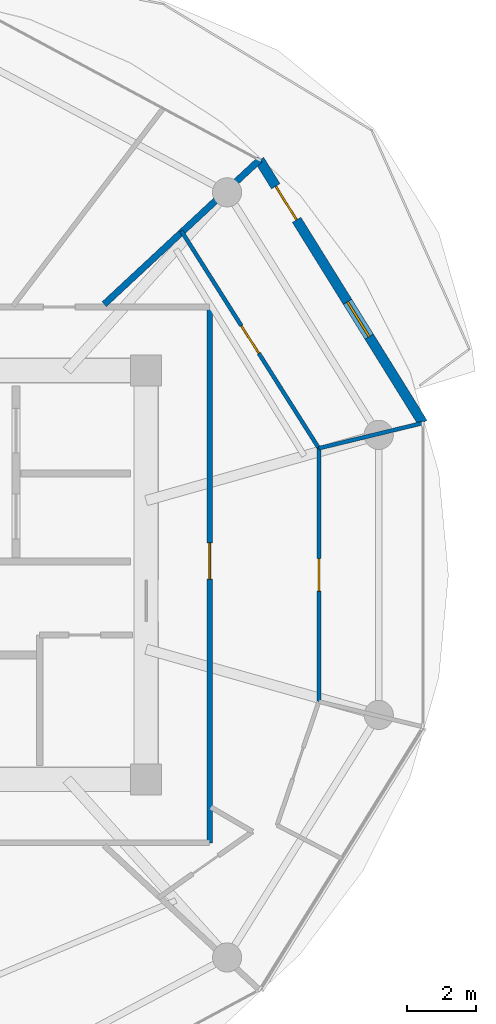
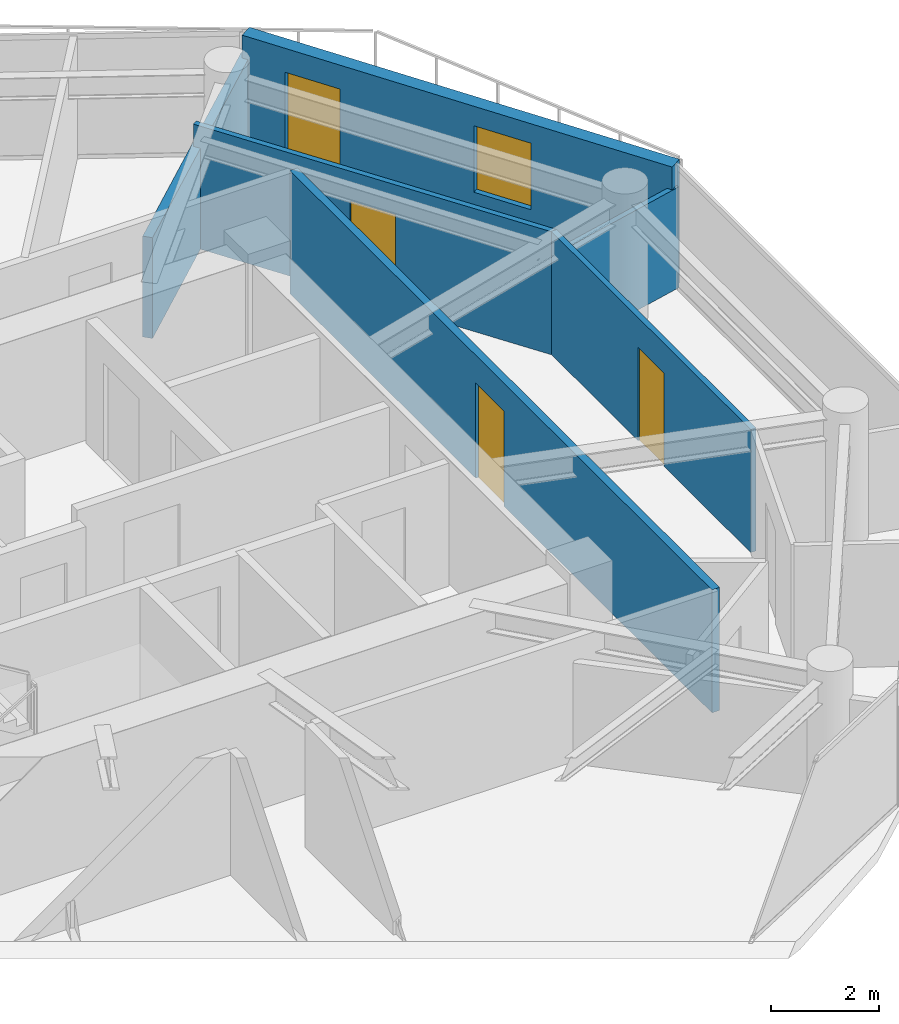
# One storey, part 17 of 24: 6 walls, 4 doors, 1 window, 5 openings.
"""IFC4 building model written with IfcOpenShell, lengths in metres."""

from ifc_helpers import new_model, si_unit, direction, frame, frame_2d, origin, place, context, subcontext, project, spatial, rectangle, extrude, source, transform, mapped, material, layer, layer_set, type_object, type_shapes, element, fill, save


model = new_model("IFC4")

# Units and contexts
model_context = context("Model", 3, precision=1e-05, world=origin(), true_north=direction((0.0, 1.0)))
body_context = subcontext(model_context, "Body", "Model", "MODEL_VIEW")
ifc_project = project(units=[si_unit("LENGTHUNIT", "METRE"), si_unit("AREAUNIT", "SQUARE_METRE"), si_unit("VOLUMEUNIT", "CUBIC_METRE"), si_unit("PLANEANGLEUNIT", "RADIAN"), si_unit("MASSUNIT", "GRAM", prefix="KILO")], contexts=[model_context])

# Site, building, storey
site_placement = place(None, origin())
site = spatial("IfcSite", under=ifc_project, at=site_placement, CompositionType="ELEMENT")
building_placement = place(site_placement, origin())
building = spatial("IfcBuilding", under=site, at=building_placement, Name="Norrkilde Senior Care Towers", CompositionType="ELEMENT")
storey_placement = place(building_placement, frame((0.0, 0.0, 117.60009765625)))
storey = spatial("IfcBuildingStorey", under=building, at=storey_placement, Name="L36", CompositionType="ELEMENT", Elevation=117.60009765625)

# Wall, openings, door, window
ifc_material_1 = material(Name="Precast concrete C45/55", Category="concrete")
ifc_layer_1 = layer(ifc_material_1, 0.2900390625)
ifc_layer_set_1 = layer_set([ifc_layer_1], Name="Precast concrete C45/55")
wall_type_1 = type_object("IfcWallType", Name="Winter Garden Facade Wall 290", PredefinedType="SOLIDWALL", material=ifc_layer_set_1)
shared_shape_1 = source(origin(), body_context, "Body", "SweptSolid", [
    extrude(rectangle(XDim=9.01416015625, YDim=0.2900390625, at=frame_2d((4.507080078125, 0.0))), origin(), (0.0, 0.0, 1.0), 2.789794921875),
])
type_shapes(wall_type_1, [shared_shape_1])
wall_1_placement = place(storey_placement, frame((38.946533203125, 12.077392578125, 0.0), z_axis=(0.0, 0.0, 1.0), x_axis=(0.527732945084, -0.849410347637, 0.0)))
wall_1 = element("IfcWall", 1, at=wall_1_placement, inside=storey, type_object=wall_type_1, Name="L36 Drum E Balcony Access Wall 00", PredefinedType="SOLIDWALL", context=body_context, shape_type="MappedRepresentation", body=[
    mapped(shared_shape_1, transform((0.0, 0.0, 0.0), x_axis=(1.0, 0.0, 0.0), y_axis=(0.0, 1.0, 0.0), z_axis=(0.0, 0.0, 1.0), scale=1.0)),
])
opening_1_placement = place(wall_1_placement, frame((0.89990234375, 0.0, 0.0)))
opening_1 = element("IfcOpeningElement", 2, at=opening_1_placement, cuts=wall_1, Name="Opening D-09", PredefinedType="OPENING", context=body_context, shape_type="SweptSolid", body=[
    extrude(rectangle(XDim=1.14990234375, YDim=2.25, at=frame_2d((0.574951171875, 1.125))), frame((0.0, 0.155029296875, 0.0), z_axis=(0.0, -1.0, 0.0), x_axis=(1.0, 0.0, 0.0)), (0.0, 0.0, 1.0), 0.31005859375),
])
opening_2_placement = place(wall_1_placement, frame((4.857177734375, 0.0, 0.85009765625)))
opening_2 = element("IfcOpeningElement", 3, at=opening_2_placement, cuts=wall_1, Name="Opening WN-07", PredefinedType="OPENING", context=body_context, shape_type="SweptSolid", body=[
    extrude(rectangle(XDim=1.199951171875, YDim=1.5, at=frame_2d((0.60009765625, 0.75))), frame((0.0, 0.155029296875, 0.0), z_axis=(0.0, -1.0, 0.0), x_axis=(1.0, 0.0, 0.0)), (0.0, 0.0, 1.0), 0.31005859375),
])
ifc_material_2 = material(Name="Anodised Aluminium", Category="aluminium")
door_type_1 = type_object("IfcDoorType", Name="Terrace and Balcony Glazed Door 1150x2250", OperationType="NOTDEFINED", PredefinedType="DOOR", material=ifc_material_2)
shared_shape_2 = source(origin(), body_context, "Body", "SweptSolid", [
    extrude(rectangle(XDim=1.14990234375, YDim=2.25, at=frame_2d((0.574951171875, 1.125))), frame((0.0, 0.02490234375, 0.0), z_axis=(0.0, -1.0, 0.0), x_axis=(1.0, 0.0, 0.0)), (0.0, 0.0, 1.0), 0.050048828125),
])
type_shapes(door_type_1, [shared_shape_2])
door_1_placement = place(opening_1_placement, origin())
door_1 = element("IfcDoor", 4, at=door_1_placement, inside=storey, type_object=door_type_1, Name="L36 Drum E Outdoor Terrace Door 00", OperationType="SINGLE_SWING_LEFT", OverallHeight=2.25, OverallWidth=1.14990234375, PredefinedType="DOOR", context=body_context, shape_type="MappedRepresentation", body=[
    mapped(shared_shape_2, transform((0.0, 0.0, 0.0), x_axis=(1.0, 0.0, 0.0), y_axis=(0.0, 1.0, 0.0), z_axis=(0.0, 0.0, 1.0), scale=1.0)),
])
fill(opening_1, door_1)
ifc_material_3 = material(Name="Triple Low-E Insulated Glazing", Category="glass")
window_type = type_object("IfcWindowType", Name="Stairwell Smoke Vent Window 1200x1500", PartitioningType="SINGLE_PANEL", PredefinedType="WINDOW", material=ifc_material_3)
shared_shape_3 = source(origin(), body_context, "Body", "SweptSolid", [
    extrude(rectangle(XDim=1.199951171875, YDim=1.5, at=frame_2d((0.60009765625, 0.75))), frame((0.0, 0.030029296875, 0.0), z_axis=(0.0, -1.0, 0.0), x_axis=(1.0, 0.0, 0.0)), (0.0, 0.0, 1.0), 0.06005859375),
])
type_shapes(window_type, [shared_shape_3])
window_placement = place(opening_2_placement, origin())
window = element("IfcWindow", 5, at=window_placement, inside=storey, type_object=window_type, Name="L36 Drum E Winter Garden Window 00", OverallHeight=1.5, OverallWidth=1.199951171875, PartitioningType="SINGLE_PANEL", PredefinedType="WINDOW", context=body_context, shape_type="MappedRepresentation", body=[
    mapped(shared_shape_3, transform((0.0, 0.0, 0.0), x_axis=(1.0, 0.0, 0.0), y_axis=(0.0, 1.0, 0.0), z_axis=(0.0, 0.0, 1.0), scale=1.0)),
])
fill(opening_2, window)

# Wall, opening, door
ifc_material_4 = material(Name="Gypsum Acoustic Board")
ifc_layer_2 = layer(ifc_material_4, 0.1650390625)
ifc_layer_set_2 = layer_set([ifc_layer_2], Name="Gypsum Acoustic Board")
wall_type_2 = type_object("IfcWallType", Name="Corridor Rated Partition 165", PredefinedType="PARTITIONING", material=ifc_layer_set_2)
shared_shape_4 = source(origin(), body_context, "Body", "SweptSolid", [
    extrude(rectangle(XDim=15.60009765625, YDim=0.1650390625, at=frame_2d((7.800048828125, 0.0))), origin(), (0.0, 0.0, 1.0), 2.77490234375),
])
type_shapes(wall_type_2, [shared_shape_4])
wall_2_placement = place(storey_placement, frame((37.5, 7.800048828125, 0.0), z_axis=(0.0, 0.0, 1.0), x_axis=(0.0, -1.0, 0.0)))
wall_2 = element("IfcWall", 6, at=wall_2_placement, inside=storey, type_object=wall_type_2, Name="WL-INT-L36-E-CRW-E-0", PredefinedType="PARTITIONING", context=body_context, shape_type="MappedRepresentation", body=[
    mapped(shared_shape_4, transform((0.0, 0.0, 0.0), x_axis=(1.0, 0.0, 0.0), y_axis=(0.0, 1.0, 0.0), z_axis=(0.0, 0.0, 1.0), scale=1.0)),
])
opening_3_placement = place(wall_2_placement, frame((6.86962890625, 0.0, 0.0)))
opening_3 = element("IfcOpeningElement", 7, at=opening_3_placement, cuts=wall_2, Name="Opening D-06", PredefinedType="OPENING", context=body_context, shape_type="SweptSolid", body=[
    extrude(rectangle(XDim=1.050048828125, YDim=2.14990234375, at=frame_2d((0.52490234375, 1.074951171875))), frame((0.0, 0.092529296875, 0.0), z_axis=(0.0, -1.0, 0.0), x_axis=(1.0, 0.0, 0.0)), (0.0, 0.0, 1.0), 0.18505859375),
])
ifc_material_5 = material(Name="Nordic Ash Timber", Category="wood")
door_type_2 = type_object("IfcDoorType", Name="Apartment Entrance Fire Door 1050x2150", OperationType="NOTDEFINED", PredefinedType="DOOR", material=ifc_material_5)
shared_shape_5 = source(origin(), body_context, "Body", "SweptSolid", [
    extrude(rectangle(XDim=1.050048828125, YDim=2.14990234375, at=frame_2d((0.52490234375, 1.074951171875))), frame((0.0, 0.02490234375, 0.0), z_axis=(0.0, -1.0, 0.0), x_axis=(1.0, 0.0, 0.0)), (0.0, 0.0, 1.0), 0.050048828125),
])
type_shapes(door_type_2, [shared_shape_5])
door_2_placement = place(opening_3_placement, frame((1.050048828125, 0.0, 0.0), z_axis=(0.0, 0.0, 1.0), x_axis=(-1.0, 0.0, 0.0)))
door_2 = element("IfcDoor", 8, at=door_2_placement, inside=storey, type_object=door_type_2, Name="Apartment 36C Entrance Door", OperationType="SINGLE_SWING_LEFT", OverallHeight=2.14990234375, OverallWidth=1.050048828125, PredefinedType="DOOR", context=body_context, shape_type="MappedRepresentation", body=[
    mapped(shared_shape_5, transform((0.0, 0.0, 0.0), x_axis=(1.0, 0.0, 0.0), y_axis=(0.0, 1.0, 0.0), z_axis=(0.0, 0.0, 1.0), scale=1.0)),
])
fill(opening_3, door_2)

# Wall
ifc_layer_3 = layer(ifc_material_4, 0.18994140625)
ifc_layer_set_3 = layer_set([ifc_layer_3], Name="Gypsum Acoustic Board")
wall_type_3 = type_object("IfcWallType", Name="Unit Demising Acoustic Wall 190", PredefinedType="PARTITIONING", material=ifc_layer_set_3)
shared_shape_6 = source(origin(), body_context, "Body", "SweptSolid", [
    extrude(rectangle(XDim=6.186767578125, YDim=0.18994140625, at=frame_2d((3.09326171875, 0.0))), origin(), (0.0, 0.0, 1.0), 2.27490234375),
])
type_shapes(wall_type_3, [shared_shape_6])
wall_3_placement = place(storey_placement, frame((34.428955078125, 7.8798828125, 0.0), z_axis=(0.0, 0.0, 1.0), x_axis=(0.732501077882, 0.680765870841, 0.0)))
element("IfcWall", 9, at=wall_3_placement, inside=storey, type_object=wall_type_3, Name="WL-INT-L36-E-DEM-01-0", PredefinedType="PARTITIONING", context=body_context, shape_type="MappedRepresentation", body=[
    mapped(shared_shape_6, transform((0.0, 0.0, 0.0), x_axis=(1.0, 0.0, 0.0), y_axis=(0.0, 1.0, 0.0), z_axis=(0.0, 0.0, 1.0), scale=1.0)),
])

# Wall, opening, door
ifc_layer_4 = layer(ifc_material_4, 0.114990234375)
ifc_layer_set_4 = layer_set([ifc_layer_4], Name="Gypsum Acoustic Board")
wall_type_4 = type_object("IfcWallType", Name="Internal Room Partition 115", PredefinedType="PARTITIONING", material=ifc_layer_set_4)
shared_shape_7 = source(origin(), body_context, "Body", "SweptSolid", [
    extrude(rectangle(XDim=7.37548828125, YDim=0.114990234375, at=frame_2d((3.687744140625, 0.0))), origin(), (0.0, 0.0, 1.0), 2.77490234375),
])
wall_4_placement = place(storey_placement, frame((40.677978515625, -3.687744140625, 0.0), z_axis=(0.0, 0.0, 1.0), x_axis=(0.0, 1.0, 0.0)))
wall_4 = element("IfcWall", 10, at=wall_4_placement, inside=storey, type_object=wall_type_4, Name="WL-INT-L36-E-UBC-10-1", PredefinedType="PARTITIONING", context=body_context, shape_type="MappedRepresentation", body=[
    mapped(shared_shape_7, transform((0.0, 0.0, 0.0), x_axis=(1.0, 0.0, 0.0), y_axis=(0.0, 1.0, 0.0), z_axis=(0.0, 0.0, 1.0), scale=1.0)),
])
opening_4_placement = place(wall_4_placement, frame((3.212646484375, 0.0, 0.0)))
opening_4 = element("IfcOpeningElement", 11, at=opening_4_placement, cuts=wall_4, Name="Opening D-07", PredefinedType="OPENING", context=body_context, shape_type="SweptSolid", body=[
    extrude(rectangle(XDim=0.949951171875, YDim=2.10009765625, at=frame_2d((0.47509765625, 1.050048828125))), frame((0.0, 0.0673828125, 0.0), z_axis=(0.0, -1.0, 0.0), x_axis=(1.0, 0.0, 0.0)), (0.0, 0.0, 1.0), 0.135009765625),
])
door_type_3 = type_object("IfcDoorType", Name="Internal Suite Bedroom Door 950x2100", OperationType="NOTDEFINED", PredefinedType="DOOR", material=ifc_material_5)
shared_shape_8 = source(origin(), body_context, "Body", "SweptSolid", [
    extrude(rectangle(XDim=0.949951171875, YDim=2.10009765625, at=frame_2d((0.47509765625, 1.050048828125))), frame((0.0, 0.02490234375, 0.0), z_axis=(0.0, -1.0, 0.0), x_axis=(1.0, 0.0, 0.0)), (0.0, 0.0, 1.0), 0.050048828125),
])
type_shapes(door_type_3, [shared_shape_8])
door_3_placement = place(opening_4_placement, origin())
door_3 = element("IfcDoor", 12, at=door_3_placement, inside=storey, type_object=door_type_3, Name="Apartment 36C Bedroom 1 Door", OperationType="SINGLE_SWING_RIGHT", OverallHeight=2.10009765625, OverallWidth=0.949951171875, PredefinedType="DOOR", context=body_context, shape_type="MappedRepresentation", body=[
    mapped(shared_shape_8, transform((0.0, 0.0, 0.0), x_axis=(1.0, 0.0, 0.0), y_axis=(0.0, 1.0, 0.0), z_axis=(0.0, 0.0, 1.0), scale=1.0)),
])
fill(opening_4, door_3)

shared_shape_9 = source(origin(), body_context, "Body", "SweptSolid", [
    extrude(rectangle(XDim=7.491455078125, YDim=0.114990234375, at=frame_2d((3.74560546875, 0.0))), origin(), (0.0, 0.0, 1.0), 2.77490234375),
])
wall_5_placement = place(storey_placement, frame((40.676513671875, 3.6875, 0.0), z_axis=(0.0, 0.0, 1.0), x_axis=(-0.534794647943, 0.844982061662, 0.0)))
wall_5 = element("IfcWall", 13, at=wall_5_placement, inside=storey, type_object=wall_type_4, Name="WL-INT-L36-E-UBC-10-2", PredefinedType="PARTITIONING", context=body_context, shape_type="MappedRepresentation", body=[
    mapped(shared_shape_9, transform((0.0, 0.0, 0.0), x_axis=(1.0, 0.0, 0.0), y_axis=(0.0, 1.0, 0.0), z_axis=(0.0, 0.0, 1.0), scale=1.0)),
])
opening_5_placement = place(wall_5_placement, frame((3.270751953125, 0.0, 0.0)))
opening_5 = element("IfcOpeningElement", 14, at=opening_5_placement, cuts=wall_5, Name="Opening D-07", PredefinedType="OPENING", context=body_context, shape_type="SweptSolid", body=[
    extrude(rectangle(XDim=0.949951171875, YDim=2.10009765625, at=frame_2d((0.47509765625, 1.050048828125))), frame((0.0, 0.0673828125, 0.0), z_axis=(0.0, -1.0, 0.0), x_axis=(1.0, 0.0, 0.0)), (0.0, 0.0, 1.0), 0.135009765625),
])
door_4_placement = place(opening_5_placement, frame((0.949951171875, 0.0, 0.0), z_axis=(0.0, 0.0, 1.0), x_axis=(-1.0, 0.0, 0.0)))
door_4 = element("IfcDoor", 15, at=door_4_placement, inside=storey, type_object=door_type_3, Name="Apartment 36C Bedroom 2 Door", OperationType="SINGLE_SWING_LEFT", OverallHeight=2.10009765625, OverallWidth=0.949951171875, PredefinedType="DOOR", context=body_context, shape_type="MappedRepresentation", body=[
    mapped(shared_shape_8, transform((0.0, 0.0, 0.0), x_axis=(1.0, 0.0, 0.0), y_axis=(0.0, 1.0, 0.0), z_axis=(0.0, 0.0, 1.0), scale=1.0)),
])
fill(opening_5, door_4)

# Wall
shared_shape_10 = source(origin(), body_context, "Body", "SweptSolid", [
    extrude(rectangle(XDim=3.134765625, YDim=0.114990234375, at=frame_2d((1.5673828125, 0.0))), origin(), (0.0, 0.0, 1.0), 2.27490234375),
])
type_shapes(wall_type_4, [shared_shape_7, shared_shape_9, shared_shape_10])
wall_6_placement = place(storey_placement, frame((40.676513671875, 3.6875, 0.0), z_axis=(0.0, 0.0, 1.0), x_axis=(0.971871716329, 0.235510863866, 0.0)))
element("IfcWall", 16, at=wall_6_placement, inside=storey, type_object=wall_type_4, Name="WL-INT-L36-E-UBR-10-2", PredefinedType="PARTITIONING", context=body_context, shape_type="MappedRepresentation", body=[
    mapped(shared_shape_10, transform((0.0, 0.0, 0.0), x_axis=(1.0, 0.0, 0.0), y_axis=(0.0, 1.0, 0.0), z_axis=(0.0, 0.0, 1.0), scale=1.0)),
])

save(model, "model.ifc")
